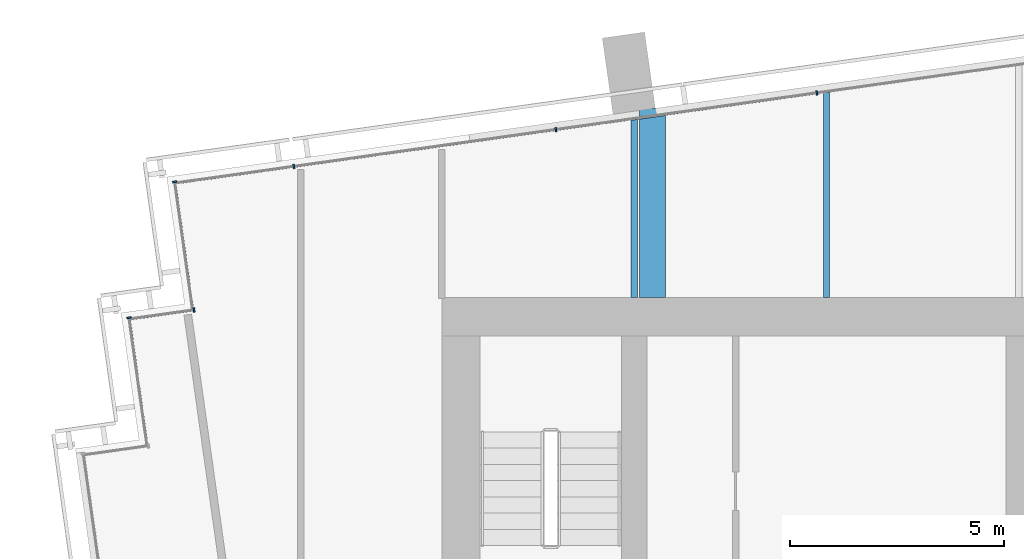
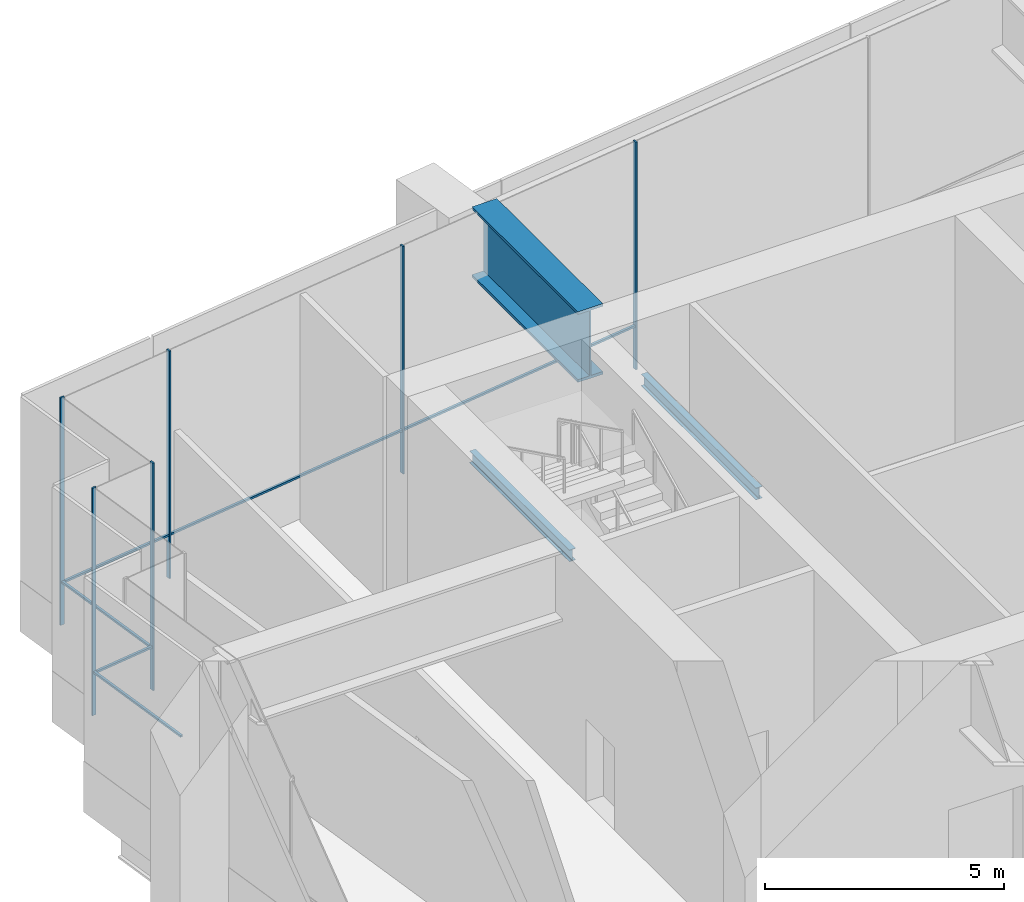
# One storey, part 11 of 25: 12 members, 3 beams, 5 elements without a shape of their own.
"""IFC4 building model written with IfcOpenShell, lengths in metres."""

from ifc_helpers import new_model, si_unit, direction, frame, origin, origin_2d, place, context, subcontext, project, spatial, rectangle, i_section, extrude, material, layer, layer_set, material_profile, profile_set, type_object, element, aggregate, save


model = new_model("IFC4")

# Units and contexts
model_context = context("Model", 3, precision=1e-05, world=origin(), true_north=direction((0.0, 1.0)))
body_context = subcontext(model_context, "Body", "Model", "MODEL_VIEW")
ifc_project = project(units=[si_unit("LENGTHUNIT", "METRE"), si_unit("AREAUNIT", "SQUARE_METRE"), si_unit("VOLUMEUNIT", "CUBIC_METRE"), si_unit("PLANEANGLEUNIT", "RADIAN"), si_unit("MASSUNIT", "GRAM", prefix="KILO")], contexts=[model_context])

# Site, building, storey
site_placement = place(None, origin())
site = spatial("IfcSite", under=ifc_project, at=site_placement, CompositionType="ELEMENT")
building_placement = place(site_placement, origin())
building = spatial("IfcBuilding", under=site, at=building_placement, Name="Rattan Terrace Tower", CompositionType="ELEMENT")
storey_placement = place(building_placement, frame((0.0, 0.0, 286.300048828125)))
storey = spatial("IfcBuildingStorey", under=building, at=storey_placement, Name="L66", CompositionType="ELEMENT", Elevation=286.300048828125)

# Beams
ifc_material_1 = material(Name="Steel S355", Category="steel")
ifc_material_profile_1 = material_profile(ifc_material_1, i_section(OverallWidth=0.14990234375, OverallDepth=0.300048828125, WebThickness=0.007080078125, FlangeThickness=0.0107421875, FilletRadius=0.014892578125, at=origin_2d()), Name="IPE 300")
ifc_profile_set_1 = profile_set([ifc_material_profile_1], Name="Steel S355")
beam_type_1 = type_object("IfcBeamType", Name="Frame floor beam IPE 300", PredefinedType="JOIST", material=ifc_profile_set_1)
beam_1_placement = place(storey_placement, frame((-13.5, 7.5, -0.35009765625), z_axis=(0.0, 1.0, 0.0), x_axis=(-1.0, 0.0, 0.0)))
element("IfcBeam", 1, at=beam_1_placement, inside=storey, type_object=beam_type_1, Name="bm-L66-015", PredefinedType="JOIST", context=body_context, shape_type="SweptSolid", body=[
    extrude(i_section(OverallWidth=0.14990234375, OverallDepth=0.300048828125, WebThickness=0.007080078125, FlangeThickness=0.0107421875, FilletRadius=0.014892578125, at=origin_2d()), origin(), (0.0, 0.0, 1.0), 4.16796875),
])
beam_2_placement = place(storey_placement, frame((-9.0, 7.5, -0.35009765625), z_axis=(0.0, 1.0, 0.0), x_axis=(-1.0, 0.0, 0.0)))
element("IfcBeam", 2, at=beam_2_placement, inside=storey, type_object=beam_type_1, Name="bm-L66-016", PredefinedType="JOIST", context=body_context, shape_type="SweptSolid", body=[
    extrude(i_section(OverallWidth=0.14990234375, OverallDepth=0.300048828125, WebThickness=0.007080078125, FlangeThickness=0.0107421875, FilletRadius=0.014892578125, at=origin_2d()), origin(), (0.0, 0.0, 1.0), 4.800048828125),
])
ifc_material_2 = material(Name="Steel S460", Category="steel")
ifc_material_profile_2 = material_profile(ifc_material_2, i_section(OverallWidth=0.60009765625, OverallDepth=1.800048828125, WebThickness=0.0400390625, FlangeThickness=0.070068359375, at=origin_2d()), Name="PG 1800x600-40-70")
ifc_profile_set_2 = profile_set([ifc_material_profile_2], Name="Steel S460")
beam_type_2 = type_object("IfcBeamType", Name="Frame transfer girder PG 1800x600-40-70", PredefinedType="USERDEFINED", material=ifc_profile_set_2)
beam_3_placement = place(storey_placement, frame((-13.070068359375, 7.5, 4.89990234375), z_axis=(0.0, 1.0, 0.0), x_axis=(-1.0, 0.0, 0.0)))
element("IfcBeam", 3, at=beam_3_placement, inside=storey, type_object=beam_type_2, Name="trf-L66-012", ObjectType="TRANSFER GIRDER", PredefinedType="USERDEFINED", context=body_context, shape_type="SweptSolid", body=[
    extrude(i_section(OverallWidth=0.60009765625, OverallDepth=1.800048828125, WebThickness=0.0400390625, FlangeThickness=0.070068359375, at=origin_2d()), origin(), (0.0, 0.0, 1.0), 4.419921875),
])

# Curtain wall, members
ifc_material_3 = material(Name="Aluminium and structural silicone glass", Category="aluminium")
ifc_layer = layer(ifc_material_3, 0.10009765625)
ifc_layer_set = layer_set([ifc_layer], Name="Observation Structural Silicone Curtain Wall")
curtain_wall_type = type_object("IfcCurtainWallType", Name="Observation Structural Silicone Curtain Wall", PredefinedType="NOTDEFINED", material=ifc_layer_set)
curtain_wall_1_placement = place(storey_placement, origin())
curtain_wall_1 = element("IfcCurtainWall", 4, at=curtain_wall_1_placement, inside=storey, type_object=curtain_wall_type, Name="Observation curtain wall L66-12", PredefinedType="NOTDEFINED")
ifc_material_4 = material(Name="Aluminium", Category="aluminium")
ifc_material_profile_3 = material_profile(ifc_material_4, rectangle(XDim=0.0400390625, YDim=0.10009765625, at=origin_2d()), Name="Aluminium 40x100")
ifc_profile_set_3 = profile_set([ifc_material_profile_3], Name="Aluminium")
member_type_1 = type_object("IfcMemberType", Name="Observation CW Mullion 40x100", PredefinedType="MULLION", material=ifc_profile_set_3)
member_1_placement = place(storey_placement, frame((-9.224365234375, 12.288818359375, 0.0), z_axis=(0.0, 0.0, 1.0), x_axis=(-0.990265894013, -0.139188574079, 0.0)))
member_1 = element("IfcMember", 5, at=member_1_placement, type_object=member_type_1, Name="Mullion cwl-L66-012.5", PredefinedType="MULLION", context=body_context, shape_type="SweptSolid", body=[
    extrude(rectangle(XDim=0.0400390625, YDim=0.10009765625, at=origin_2d()), origin(), (0.0, 0.0, 1.0), 5.800048828125),
])
member_2_placement = place(storey_placement, frame((-15.330322265625, 11.430419921875, 0.0), z_axis=(0.0, 0.0, 1.0), x_axis=(-0.990265894013, -0.139188574079, 0.0)))
member_2 = element("IfcMember", 6, at=member_2_placement, type_object=member_type_1, Name="Mullion cwl-L66-012.6", PredefinedType="MULLION", context=body_context, shape_type="SweptSolid", body=[
    extrude(rectangle(XDim=0.0400390625, YDim=0.10009765625, at=origin_2d()), origin(), (0.0, 0.0, 1.0), 5.800048828125),
])

# Curtain wall, member
curtain_wall_2_placement = place(storey_placement, origin())
curtain_wall_2 = element("IfcCurtainWall", 7, at=curtain_wall_2_placement, inside=storey, type_object=curtain_wall_type, Name="Observation curtain wall L66-13", PredefinedType="NOTDEFINED")
member_3_placement = place(storey_placement, frame((-21.460205078125, 10.56884765625, 0.0), z_axis=(0.0, 0.0, 1.0), x_axis=(-0.990293172258, -0.138994363123, 0.0)))
member_3 = element("IfcMember", 8, at=member_3_placement, type_object=member_type_1, Name="Mullion cwl-L66-013.1", PredefinedType="MULLION", context=body_context, shape_type="SweptSolid", body=[
    extrude(rectangle(XDim=0.0400390625, YDim=0.10009765625, at=origin_2d()), origin(), (0.0, 0.0, 1.0), 5.800048828125),
])

curtain_wall_3_placement = place(storey_placement, origin())
curtain_wall_3 = element("IfcCurtainWall", 9, at=curtain_wall_3_placement, inside=storey, type_object=curtain_wall_type, Name="Observation curtain wall L66-14", PredefinedType="NOTDEFINED")
member_4_placement = place(storey_placement, frame((-24.2470703125, 10.2080078125, 0.0), z_axis=(0.0, 0.0, 1.0), x_axis=(0.138994363123, -0.990293172258, 0.0)))
member_4 = element("IfcMember", 10, at=member_4_placement, type_object=member_type_1, Name="Mullion cwl-L66-014.1", PredefinedType="MULLION", context=body_context, shape_type="SweptSolid", body=[
    extrude(rectangle(XDim=0.0400390625, YDim=0.10009765625, at=origin_2d()), origin(), (0.0, 0.0, 1.0), 5.800048828125),
])

curtain_wall_4_placement = place(storey_placement, origin())
curtain_wall_4 = element("IfcCurtainWall", 11, at=curtain_wall_4_placement, inside=storey, type_object=curtain_wall_type, Name="Observation curtain wall L66-15", PredefinedType="NOTDEFINED")
member_5_placement = place(storey_placement, frame((-23.79638671875, 7.21142578125, 0.0), z_axis=(0.0, 0.0, 1.0), x_axis=(-0.990240767803, -0.139367219175, 0.0)))
member_5 = element("IfcMember", 12, at=member_5_placement, type_object=member_type_1, Name="Mullion cwl-L66-015.1", PredefinedType="MULLION", context=body_context, shape_type="SweptSolid", body=[
    extrude(rectangle(XDim=0.0400390625, YDim=0.10009765625, at=origin_2d()), origin(), (0.0, 0.0, 1.0), 5.800048828125),
])

curtain_wall_5_placement = place(storey_placement, origin())
curtain_wall_5 = element("IfcCurtainWall", 13, at=curtain_wall_5_placement, inside=storey, type_object=curtain_wall_type, Name="Observation curtain wall L66-16", PredefinedType="NOTDEFINED")
member_6_placement = place(storey_placement, frame((-25.315185546875, 7.028076171875, 0.0), z_axis=(0.0, 0.0, 1.0), x_axis=(0.139367219175, -0.990240767803, 0.0)))
member_6 = element("IfcMember", 14, at=member_6_placement, type_object=member_type_1, Name="Mullion cwl-L66-016.1", PredefinedType="MULLION", context=body_context, shape_type="SweptSolid", body=[
    extrude(rectangle(XDim=0.0400390625, YDim=0.10009765625, at=origin_2d()), origin(), (0.0, 0.0, 1.0), 5.800048828125),
])

# Member
ifc_material_5 = material(Name="Aluminium", Category="aluminium")
ifc_material_profile_4 = material_profile(ifc_material_5, rectangle(XDim=0.06005859375, YDim=0.050048828125, at=origin_2d()), Name="Aluminium 60x50")
ifc_profile_set_4 = profile_set([ifc_material_profile_4], Name="Aluminium")
member_type_2 = type_object("IfcMemberType", Name="Observation CW Transom 60x50", PredefinedType="USERDEFINED", material=ifc_profile_set_4)
member_7_placement = place(storey_placement, frame((-9.244140625, 12.285888671875, 1.099853515625), z_axis=(-0.990268940165, -0.139166900316, 0.0), x_axis=(0.139166900316, -0.990268940165, 0.0)))
member_7 = element("IfcMember", 15, at=member_7_placement, type_object=member_type_2, Name="Transom cwl-L66-012.5", ObjectType="TRANSOM", PredefinedType="USERDEFINED", context=body_context, shape_type="SweptSolid", body=[
    extrude(rectangle(XDim=0.06005859375, YDim=0.050048828125, at=origin_2d()), origin(), (0.0, 0.0, 1.0), 6.1259765625),
])

member_8_placement = place(storey_placement, frame((-15.35009765625, 11.427734375, 1.099853515625), z_axis=(-0.990262223119, -0.139214688386, 0.0), x_axis=(0.139214688386, -0.990262223119, 0.0)))
member_8 = element("IfcMember", 16, at=member_8_placement, type_object=member_type_2, Name="Transom cwl-L66-012.6", ObjectType="TRANSOM", PredefinedType="USERDEFINED", context=body_context, shape_type="SweptSolid", body=[
    extrude(rectangle(XDim=0.06005859375, YDim=0.050048828125, at=origin_2d()), origin(), (0.0, 0.0, 1.0), 6.150146484375),
])

aggregate(curtain_wall_1, [member_1, member_2, member_7, member_8])

member_9_placement = place(storey_placement, frame((-21.47998046875, 10.566162109375, 1.099853515625), z_axis=(-0.990293977152, -0.138988628372, 0.0), x_axis=(0.138988628372, -0.990293977152, 0.0)))
member_9 = element("IfcMember", 17, at=member_9_placement, type_object=member_type_2, Name="Transom cwl-L66-013.1", ObjectType="TRANSOM", PredefinedType="USERDEFINED", context=body_context, shape_type="SweptSolid", body=[
    extrude(rectangle(XDim=0.06005859375, YDim=0.050048828125, at=origin_2d()), origin(), (0.0, 0.0, 1.0), 2.740234375),
])

aggregate(curtain_wall_2, [member_3, member_9])

member_10_placement = place(storey_placement, frame((-24.244384765625, 10.188232421875, 1.099853515625), z_axis=(0.138973019297, -0.990296167774, 0.0), x_axis=(0.990296167774, 0.138973019297, 0.0)))
member_10 = element("IfcMember", 18, at=member_10_placement, type_object=member_type_2, Name="Transom cwl-L66-014.1", ObjectType="TRANSOM", PredefinedType="USERDEFINED", context=body_context, shape_type="SweptSolid", body=[
    extrude(rectangle(XDim=0.06005859375, YDim=0.050048828125, at=origin_2d()), origin(), (0.0, 0.0, 1.0), 2.960205078125),
])

aggregate(curtain_wall_3, [member_4, member_10])

member_11_placement = place(storey_placement, frame((-23.816162109375, 7.208740234375, 1.099853515625), z_axis=(-0.990245042264, -0.139336844629, 0.0), x_axis=(0.139336844629, -0.990245042264, 0.0)))
member_11 = element("IfcMember", 19, at=member_11_placement, type_object=member_type_2, Name="Transom cwl-L66-015.1", ObjectType="TRANSOM", PredefinedType="USERDEFINED", context=body_context, shape_type="SweptSolid", body=[
    extrude(rectangle(XDim=0.06005859375, YDim=0.050048828125, at=origin_2d()), origin(), (0.0, 0.0, 1.0), 1.45947265625),
])

aggregate(curtain_wall_4, [member_5, member_11])

member_12_placement = place(storey_placement, frame((-25.312255859375, 7.00830078125, 1.099853515625), z_axis=(0.139342051071, -0.990244309655, 0.0), x_axis=(0.990244309655, 0.139342051071, 0.0)))
member_12 = element("IfcMember", 20, at=member_12_placement, type_object=member_type_2, Name="Transom cwl-L66-016.1", ObjectType="TRANSOM", PredefinedType="USERDEFINED", context=body_context, shape_type="SweptSolid", body=[
    extrude(rectangle(XDim=0.06005859375, YDim=0.050048828125, at=origin_2d()), origin(), (0.0, 0.0, 1.0), 2.959228515625),
])

aggregate(curtain_wall_5, [member_6, member_12])

save(model, "model.ifc")
